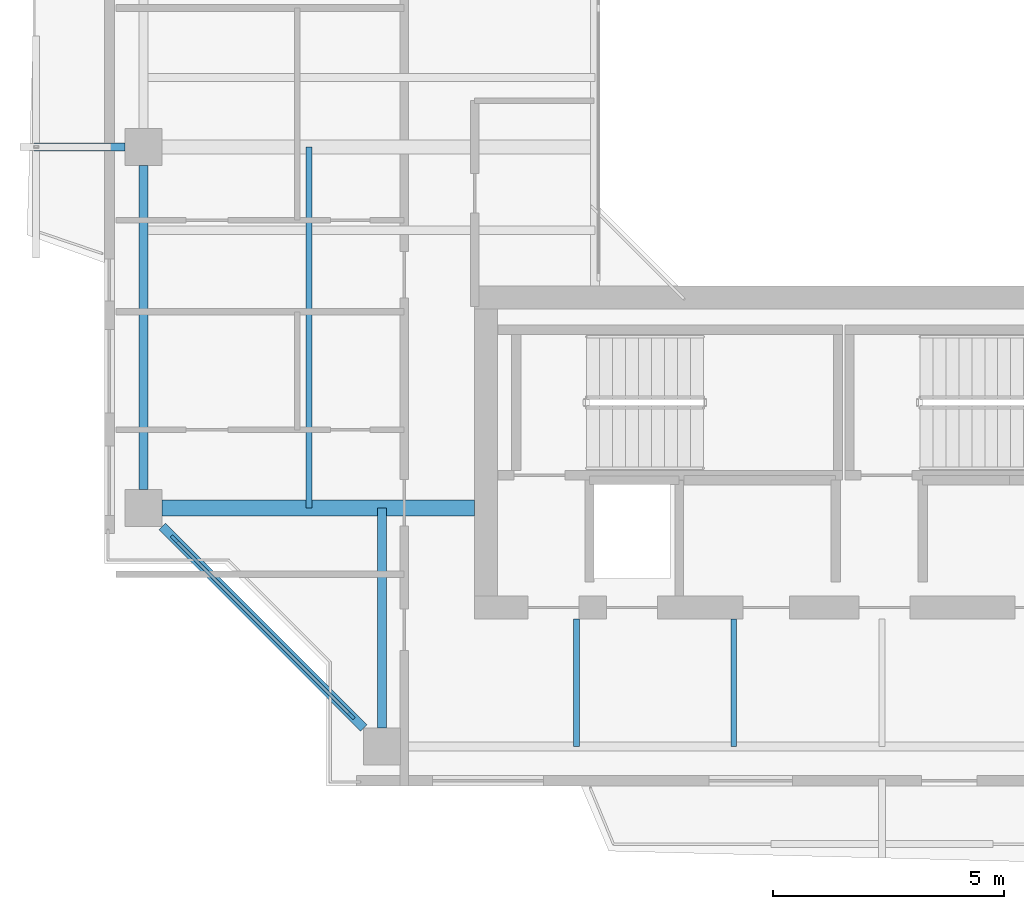
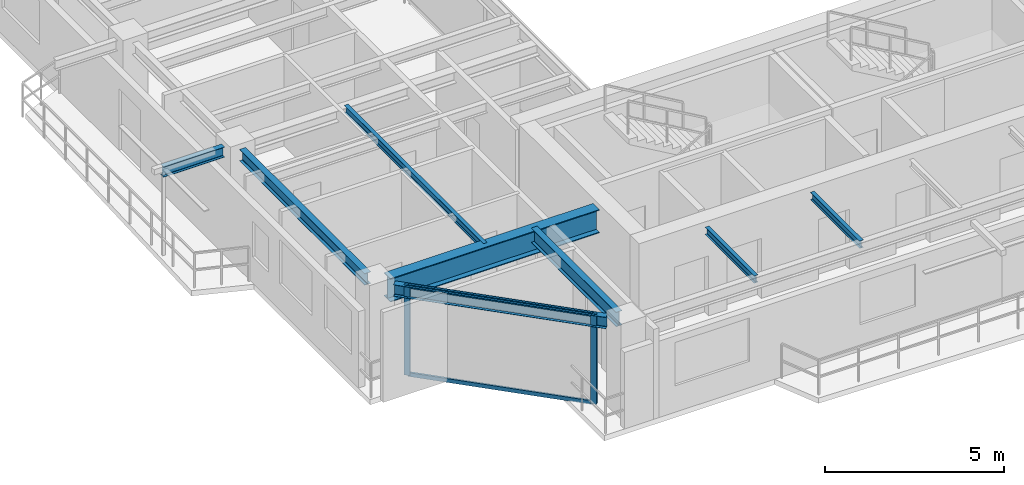
# One storey, part 2 of 16: 8 beams, 4 members, 1 element without a shape of its own.
"""IFC4 building model written with IfcOpenShell, lengths in metres."""

from ifc_helpers import new_model, si_unit, direction, frame, origin, origin_2d, place, context, subcontext, project, spatial, rectangle, i_section, extrude, source, transform, mapped, material, layer, layer_set, material_profile, profile_set, type_object, element, aggregate, save


model = new_model("IFC4")

# Units and contexts
model_context = context("Model", 3, precision=1e-05, world=origin(), true_north=direction((0.0, 1.0)))
body_context = subcontext(model_context, "Body", "Model", "MODEL_VIEW")
ifc_project = project(units=[si_unit("LENGTHUNIT", "METRE"), si_unit("AREAUNIT", "SQUARE_METRE"), si_unit("VOLUMEUNIT", "CUBIC_METRE"), si_unit("PLANEANGLEUNIT", "RADIAN"), si_unit("MASSUNIT", "GRAM", prefix="KILO"), si_unit("THERMODYNAMICTEMPERATUREUNIT", "KELVIN"), si_unit("POWERUNIT", "WATT")], contexts=[model_context])

# Site, building, storey
site_placement = place(None, origin())
site = spatial("IfcSite", under=ifc_project, at=site_placement, CompositionType="ELEMENT")
building_placement = place(site_placement, origin())
building = spatial("IfcBuilding", under=site, at=building_placement, Name="Qiaomeng Ring Towers", CompositionType="ELEMENT")
storey_placement = place(building_placement, frame((0.0, 0.0, 216.5)))
storey = spatial("IfcBuildingStorey", under=building, at=storey_placement, Name="L63", CompositionType="ELEMENT", Elevation=216.5)

# Beams
ifc_material_1 = material(Name="Steel Q355B", Category="steel")
ifc_material_profile_1 = material_profile(ifc_material_1, i_section(OverallWidth=0.198974609375, OverallDepth=0.39599609375, WebThickness=0.007080078125, FlangeThickness=0.010986328125, FilletRadius=0.01611328125, at=origin_2d()), Name="HN 396x199x7x11")
ifc_profile_set_1 = profile_set([ifc_material_profile_1], Name="Steel Q355B")
beam_type_1 = type_object("IfcBeamType", Name="STR-BM-HN396", PredefinedType="SPANDREL", material=ifc_profile_set_1)
shared_shape_1 = source(origin(), body_context, "Body", "SweptSolid", [
    extrude(i_section(OverallWidth=0.198974609375, OverallDepth=0.39599609375, WebThickness=0.007080078125, FlangeThickness=0.010986328125, FilletRadius=0.01611328125, at=origin_2d()), origin(), (0.0, 0.0, 1.0), 6.154052734375),
])
beam_1_placement = place(storey_placement, frame((3.44921875, 11.80078125, 2.8720703125), z_axis=(0.707106781187, -0.707106781187, 0.0), x_axis=(0.707106781187, 0.707106781187, 0.0)))
element("IfcBeam", 1, at=beam_1_placement, inside=storey, type_object=beam_type_1, Name="L63 beam STR-SP-L63-T1-W1-S1", PredefinedType="SPANDREL", context=body_context, shape_type="MappedRepresentation", body=[
    mapped(shared_shape_1, transform((0.0, 0.0, 0.0), x_axis=(1.0, 0.0, 0.0), y_axis=(0.0, 1.0, 0.0), z_axis=(0.0, 0.0, 1.0), scale=1.0)),
])
shared_shape_2 = source(origin(), body_context, "Body", "SweptSolid", [
    extrude(i_section(OverallWidth=0.198974609375, OverallDepth=0.39599609375, WebThickness=0.007080078125, FlangeThickness=0.010986328125, FilletRadius=0.01611328125, at=origin_2d()), origin(), (0.0, 0.0, 1.0), 7.001953125),
])
beam_2_placement = place(storey_placement, frame((3.050048828125, 19.60107421875, 2.8720703125), z_axis=(0.0, -1.0, 0.0), x_axis=(1.0, 0.0, 0.0)))
element("IfcBeam", 2, at=beam_2_placement, inside=storey, type_object=beam_type_1, Name="L63 beam STR-SP-L63-T1-W2-W1", PredefinedType="SPANDREL", context=body_context, shape_type="MappedRepresentation", body=[
    mapped(shared_shape_2, transform((0.0, 0.0, 0.0), x_axis=(1.0, 0.0, 0.0), y_axis=(0.0, 1.0, 0.0), z_axis=(0.0, 0.0, 1.0), scale=1.0)),
])
ifc_material_2 = material(Name="Steel Q390GJC", Category="steel")
ifc_material_profile_2 = material_profile(ifc_material_2, i_section(OverallWidth=0.35009765625, OverallDepth=0.800048828125, WebThickness=0.01611328125, FlangeThickness=0.028076171875, at=origin_2d()), Name="WH 800x350x16x28")
ifc_profile_set_2 = profile_set([ifc_material_profile_2], Name="Steel Q390GJC")
beam_type_2 = type_object("IfcBeamType", Name="STR-BM-WH800", PredefinedType="BEAM", material=ifc_profile_set_2)
shared_shape_3 = source(origin(), body_context, "Body", "SweptSolid", [
    extrude(i_section(OverallWidth=0.35009765625, OverallDepth=0.800048828125, WebThickness=0.01611328125, FlangeThickness=0.028076171875, at=origin_2d()), origin(), (0.0, 0.0, 1.0), 6.7509765625),
])
beam_3_placement = place(storey_placement, frame((3.448974609375, 12.199951171875, 2.669921875), z_axis=(1.0, 0.0, 0.0), x_axis=(0.0, 1.0, 0.0)))
element("IfcBeam", 3, at=beam_3_placement, inside=storey, type_object=beam_type_2, Name="L63 beam STR-BM-L63-T1-RAD-W1", PredefinedType="BEAM", context=body_context, shape_type="MappedRepresentation", body=[
    mapped(shared_shape_3, transform((0.0, 0.0, 0.0), x_axis=(1.0, 0.0, 0.0), y_axis=(0.0, 1.0, 0.0), z_axis=(0.0, 0.0, 1.0), scale=1.0)),
])
ifc_material_profile_3 = material_profile(ifc_material_1, i_section(OverallWidth=0.175048828125, OverallDepth=0.35009765625, WebThickness=0.007080078125, FlangeThickness=0.010986328125, FilletRadius=0.013916015625, at=origin_2d()), Name="HN 350x175x7x11")
ifc_profile_set_3 = profile_set([ifc_material_profile_3], Name="Steel Q355B")
beam_type_3 = type_object("IfcBeamType", Name="STR-BM-HN350", PredefinedType="JOIST", material=ifc_profile_set_3)
shared_shape_4 = source(origin(), body_context, "Body", "SweptSolid", [
    extrude(i_section(OverallWidth=0.175048828125, OverallDepth=0.35009765625, WebThickness=0.007080078125, FlangeThickness=0.010986328125, FilletRadius=0.013916015625, at=origin_2d()), origin(), (0.0, 0.0, 1.0), 1.970947265625),
])
beam_4_placement = place(storey_placement, frame((0.679931640625, 20.0, 2.89501953125), z_axis=(1.0, 0.0, 0.0), x_axis=(0.0, 1.0, 0.0)))
element("IfcBeam", 4, at=beam_4_placement, inside=storey, type_object=beam_type_3, Name="L63 beam STR-BALBM-L63-W2", PredefinedType="JOIST", context=body_context, shape_type="MappedRepresentation", body=[
    mapped(shared_shape_4, transform((0.0, 0.0, 0.0), x_axis=(1.0, 0.0, 0.0), y_axis=(0.0, 1.0, 0.0), z_axis=(0.0, 0.0, 1.0), scale=1.0)),
])
ifc_material_profile_4 = material_profile(ifc_material_1, i_section(OverallWidth=0.125, OverallDepth=0.25, WebThickness=0.006103515625, FlangeThickness=0.009033203125, FilletRadius=0.011962890625, at=origin_2d()), Name="HN 250x125x6x9")
ifc_profile_set_4 = profile_set([ifc_material_profile_4], Name="Steel Q355B")
beam_type_4 = type_object("IfcBeamType", Name="STR-BM-HN250", PredefinedType="JOIST", material=ifc_profile_set_4)
shared_shape_5 = source(origin(), body_context, "Body", "SweptSolid", [
    extrude(i_section(OverallWidth=0.125, OverallDepth=0.25, WebThickness=0.006103515625, FlangeThickness=0.009033203125, FilletRadius=0.011962890625, at=origin_2d()), origin(), (0.0, 0.0, 1.0), 2.75),
])
for number, where, z_axis, x_axis, name in (
    (5, (12.39990234375, 7.050048828125, 2.945068359375), (0.0, 1.0, 0.0), (-1.0, 0.0, 0.0), "L63 beam STR-JST-L63-T1S-1"),
    (6, (15.800048828125, 7.050048828125, 2.945068359375), (0.0, 1.0, 0.0), (-1.0, 0.0, 0.0), "L63 beam STR-JST-L63-T1S-2"),
):
    element("IfcBeam", number, at=place(storey_placement, frame(where, z_axis=z_axis, x_axis=x_axis)), inside=storey, type_object=beam_type_4, Name=name, PredefinedType="JOIST", context=body_context, shape_type="MappedRepresentation", body=[
        mapped(shared_shape_5, transform((0.0, 0.0, 0.0), x_axis=(1.0, 0.0, 0.0), y_axis=(0.0, 1.0, 0.0), z_axis=(0.0, 0.0, 1.0), scale=1.0)),
    ])
shared_shape_6 = source(origin(), body_context, "Body", "SweptSolid", [
    extrude(i_section(OverallWidth=0.125, OverallDepth=0.25, WebThickness=0.006103515625, FlangeThickness=0.009033203125, FilletRadius=0.011962890625, at=origin_2d()), origin(), (0.0, 0.0, 1.0), 7.800048828125),
])
beam_5_placement = place(storey_placement, frame((6.625, 12.199951171875, 2.945068359375), z_axis=(0.0, 1.0, 0.0), x_axis=(-1.0, 0.0, 0.0)))
element("IfcBeam", 7, at=beam_5_placement, inside=storey, type_object=beam_type_4, Name="L63 beam STR-JST-L63-T1C-WS", PredefinedType="JOIST", context=body_context, shape_type="MappedRepresentation", body=[
    mapped(shared_shape_6, transform((0.0, 0.0, 0.0), x_axis=(1.0, 0.0, 0.0), y_axis=(0.0, 1.0, 0.0), z_axis=(0.0, 0.0, 1.0), scale=1.0)),
])
ifc_material_profile_5 = material_profile(ifc_material_1, i_section(OverallWidth=0.198974609375, OverallDepth=0.49609375, WebThickness=0.009033203125, FlangeThickness=0.013916015625, FilletRadius=0.01806640625, at=origin_2d()), Name="HN 496x199x9x14")
ifc_profile_set_5 = profile_set([ifc_material_profile_5], Name="Steel Q355B")
beam_type_5 = type_object("IfcBeamType", Name="STR-BM-HN496", PredefinedType="BEAM", material=ifc_profile_set_5)
shared_shape_7 = source(origin(), body_context, "Body", "SweptSolid", [
    extrude(i_section(OverallWidth=0.198974609375, OverallDepth=0.49609375, WebThickness=0.009033203125, FlangeThickness=0.013916015625, FilletRadius=0.01806640625, at=origin_2d()), origin(), (0.0, 0.0, 1.0), 4.7509765625),
])
beam_6_placement = place(storey_placement, frame((8.199951171875, 7.448974609375, 2.822021484375), z_axis=(0.0, 1.0, 0.0), x_axis=(-1.0, 0.0, 0.0)))
element("IfcBeam", 8, at=beam_6_placement, inside=storey, type_object=beam_type_5, Name="L63 beam STR-BM-L63-T1-RAD-S1", PredefinedType="BEAM", context=body_context, shape_type="MappedRepresentation", body=[
    mapped(shared_shape_7, transform((0.0, 0.0, 0.0), x_axis=(1.0, 0.0, 0.0), y_axis=(0.0, 1.0, 0.0), z_axis=(0.0, 0.0, 1.0), scale=1.0)),
])

# Curtain wall, members
ifc_material_3 = material(Name="Fluorocarbon dark-grey aluminium", Category="aluminium")
ifc_layer = layer(ifc_material_3, 0.14990234375, Name="Fluorocarbon dark-grey aluminium")
ifc_layer_set = layer_set([ifc_layer], Name="Fluorocarbon dark-grey aluminium")
curtain_wall_type = type_object("IfcCurtainWallType", Name="ARC-CW-3", PredefinedType="NOTDEFINED", material=ifc_layer_set)
curtain_wall_placement = place(storey_placement, origin())
curtain_wall = element("IfcCurtainWall", 9, at=curtain_wall_placement, inside=storey, type_object=curtain_wall_type, Name="L63 Curtain Wall CW3", PredefinedType="NOTDEFINED")
ifc_material_profile_6 = material_profile(ifc_material_3, rectangle(XDim=0.070068359375, YDim=0.179931640625, at=origin_2d()), Name="ALU MULL 70x180")
ifc_profile_set_6 = profile_set([ifc_material_profile_6], Name="Fluorocarbon dark-grey aluminium")
member_type_1 = type_object("IfcMemberType", Name="ARC-CWM-160", PredefinedType="MULLION", material=ifc_profile_set_6)
shared_shape_8 = source(origin(), body_context, "Body", "SweptSolid", [
    extrude(rectangle(XDim=0.070068359375, YDim=0.179931640625, at=origin_2d()), origin(), (0.0, 0.0, 1.0), 3.070068359375),
])
member_1_placement = place(storey_placement, frame((3.71484375, 11.53515625, 0.0), z_axis=(0.0, 0.0, 1.0), x_axis=(0.707106781187, 0.707106781187, 0.0)))
member_1 = element("IfcMember", 10, at=member_1_placement, type_object=member_type_1, Name="CW3 mullion 1", PredefinedType="MULLION", context=body_context, shape_type="MappedRepresentation", body=[
    mapped(shared_shape_8, transform((0.0, 0.0, 0.0), x_axis=(1.0, 0.0, 0.0), y_axis=(0.0, 1.0, 0.0), z_axis=(0.0, 0.0, 1.0), scale=1.0)),
])
member_2_placement = place(storey_placement, frame((7.53515625, 7.71484375, 0.0), z_axis=(0.0, 0.0, 1.0), x_axis=(0.707106781187, 0.707106781187, 0.0)))
member_2 = element("IfcMember", 11, at=member_2_placement, type_object=member_type_1, Name="CW3 mullion 2", PredefinedType="MULLION", context=body_context, shape_type="MappedRepresentation", body=[
    mapped(shared_shape_8, transform((0.0, 0.0, 0.0), x_axis=(1.0, 0.0, 0.0), y_axis=(0.0, 1.0, 0.0), z_axis=(0.0, 0.0, 1.0), scale=1.0)),
])
ifc_material_profile_7 = material_profile(ifc_material_3, rectangle(XDim=0.06494140625, YDim=0.1298828125, at=origin_2d()), Name="ALU TRAN 65x130")
ifc_profile_set_7 = profile_set([ifc_material_profile_7], Name="Fluorocarbon dark-grey aluminium")
member_type_2 = type_object("IfcMemberType", Name="ARC-CWT-120", PredefinedType="USERDEFINED", material=ifc_profile_set_7)
shared_shape_9 = source(origin(), body_context, "Body", "SweptSolid", [
    extrude(rectangle(XDim=0.06494140625, YDim=0.1298828125, at=origin_2d()), origin(), (0.0, 0.0, 1.0), 5.3330078125),
])
member_3_placement = place(storey_placement, frame((3.739501953125, 11.510498046875, 0.032470703125), z_axis=(0.707106781187, -0.707106781187, 0.0), x_axis=(0.707106781187, 0.707106781187, 0.0)))
member_3 = element("IfcMember", 12, at=member_3_placement, type_object=member_type_2, Name="CW3 transom 1.1", ObjectType="TRANSOM", PredefinedType="USERDEFINED", context=body_context, shape_type="MappedRepresentation", body=[
    mapped(shared_shape_9, transform((0.0, 0.0, 0.0), x_axis=(1.0, 0.0, 0.0), y_axis=(0.0, 1.0, 0.0), z_axis=(0.0, 0.0, 1.0), scale=1.0)),
])
member_4_placement = place(storey_placement, frame((3.739501953125, 11.510498046875, 3.03759765625), z_axis=(0.707106781187, -0.707106781187, 0.0), x_axis=(0.707106781187, 0.707106781187, 0.0)))
member_4 = element("IfcMember", 13, at=member_4_placement, type_object=member_type_2, Name="CW3 transom 1.2", ObjectType="TRANSOM", PredefinedType="USERDEFINED", context=body_context, shape_type="MappedRepresentation", body=[
    mapped(shared_shape_9, transform((0.0, 0.0, 0.0), x_axis=(1.0, 0.0, 0.0), y_axis=(0.0, 1.0, 0.0), z_axis=(0.0, 0.0, 1.0), scale=1.0)),
])
aggregate(curtain_wall, [member_1, member_2, member_3, member_4])

save(model, "model.ifc")
